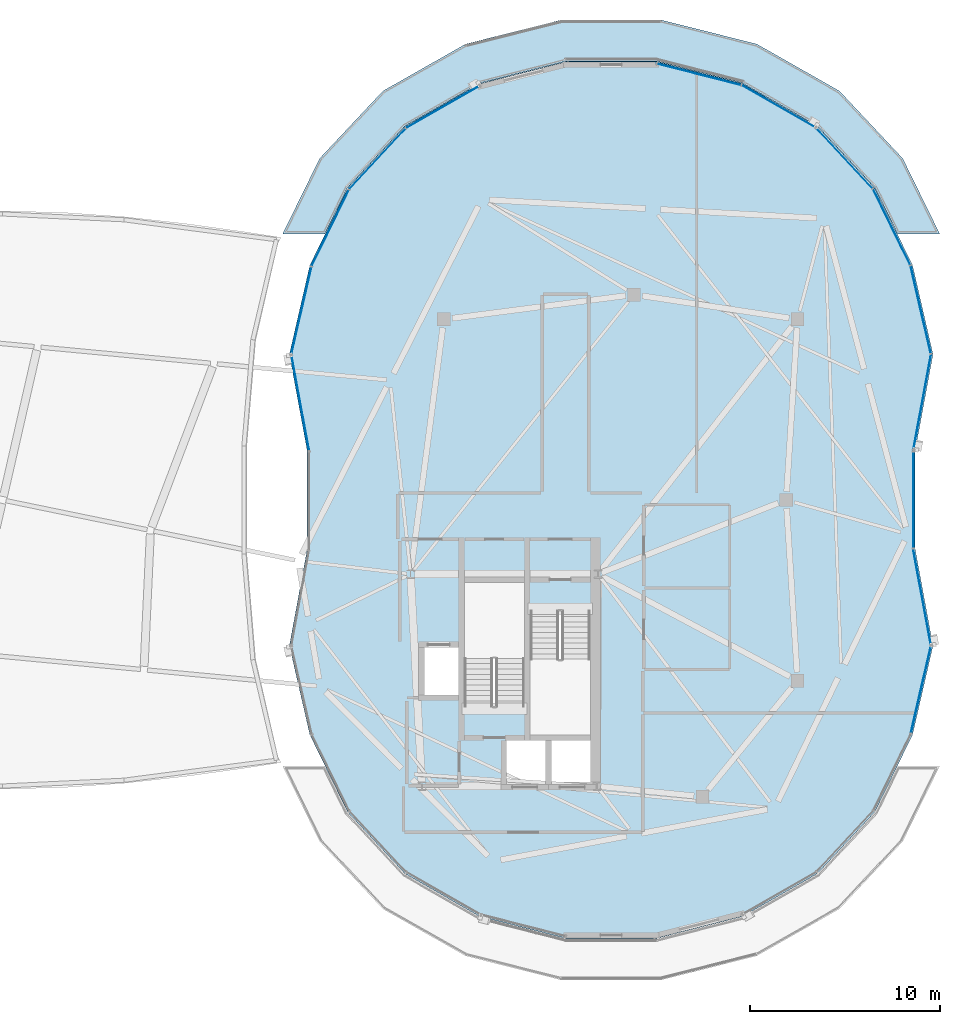
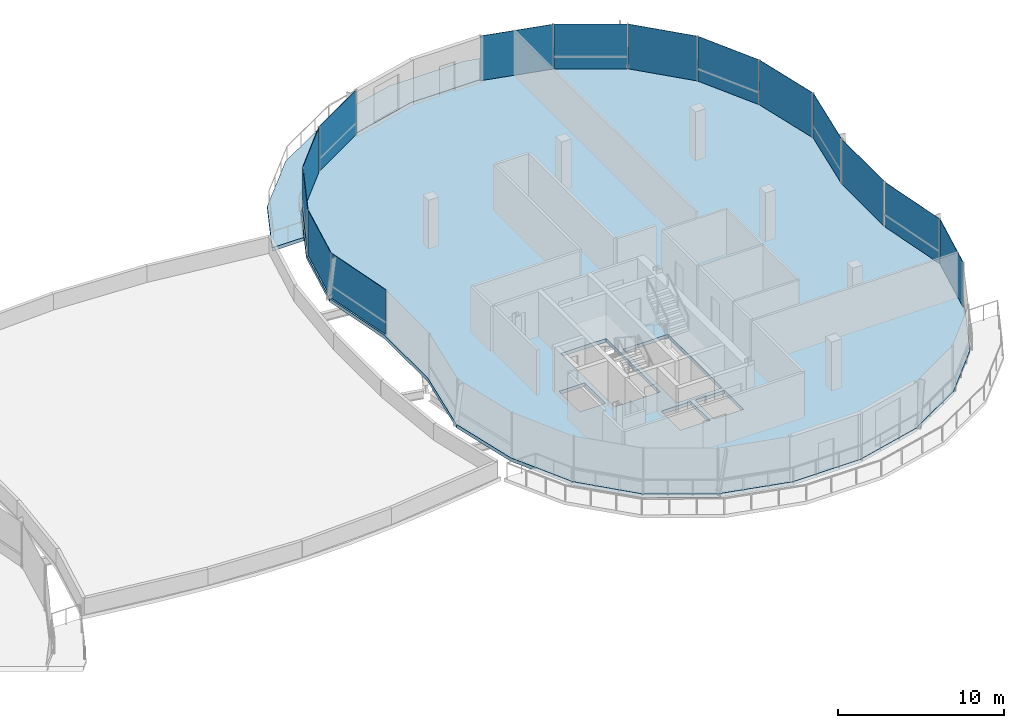
# One storey, part 19 of 31: 14 plates, 2 slabs, 3 elements without a shape of their own.
"""IFC4 building model written with IfcOpenShell, lengths in metres."""

from ifc_helpers import new_model, si_unit, direction, frame, origin, origin_2d, place, context, subcontext, project, spatial, polyline, rectangle, outline, extrude, material, layer, layer_set, type_object, element, aggregate, save


model = new_model("IFC4")

# Units and contexts
model_context = context("Model", 3, precision=1e-05, world=origin(), true_north=direction((0.0, 1.0)))
body_context = subcontext(model_context, "Body", "Model", "MODEL_VIEW")
ifc_project = project(units=[si_unit("LENGTHUNIT", "METRE"), si_unit("AREAUNIT", "SQUARE_METRE"), si_unit("VOLUMEUNIT", "CUBIC_METRE"), si_unit("PLANEANGLEUNIT", "RADIAN"), si_unit("MASSUNIT", "GRAM", prefix="KILO"), si_unit("THERMODYNAMICTEMPERATUREUNIT", "KELVIN"), si_unit("POWERUNIT", "WATT")], contexts=[model_context])

# Site, building, storey
site_placement = place(None, origin())
site = spatial("IfcSite", under=ifc_project, at=site_placement, CompositionType="ELEMENT")
building_placement = place(site_placement, origin())
building = spatial("IfcBuilding", under=site, at=building_placement, Name="Cundina Bronze Exchange", CompositionType="ELEMENT")
storey_placement = place(building_placement, frame((0.0, 0.0, 275.60009765625)))
storey = spatial("IfcBuildingStorey", under=building, at=storey_placement, Name="L73", CompositionType="ELEMENT", Elevation=275.60009765625)

# Curtain wall, plates
ifc_material_1 = material(Name="Anodised Bronze Aluminium 6063-T6", Category="aluminium")
curtain_wall_type = type_object("IfcCurtainWallType", Name="CWS-CRN-TMD", PredefinedType="NOTDEFINED", material=ifc_material_1)
curtain_wall_1_placement = place(storey_placement, origin())
curtain_wall_1 = element("IfcCurtainWall", 1, at=curtain_wall_1_placement, inside=storey, type_object=curtain_wall_type, Name="L73 CW-07 Curtain Wall Run CWR-L73-E1", PredefinedType="NOTDEFINED")
ifc_material_2 = material(Name="Clear Low-E Insulating Glass 26mm", Category="glass")
ifc_layer_1 = layer(ifc_material_2, 0.02587890625, Name="Clear Low-E Insulating Glass 26mm", Category="glass")
ifc_layer_set_1 = layer_set([ifc_layer_1], Name="Clear Low-E Insulating Glass 26mm")
plate_type_1 = type_object("IfcPlateType", Name="PLT-GLZ-CLR26", PredefinedType="CURTAIN_PANEL", material=ifc_layer_set_1)
plate_1_placement = place(storey_placement, frame((48.356201171875, 5.148193359375, 0.02001953125), z_axis=(0.0, 0.0, 1.0), x_axis=(0.181566202941, 0.983378723559, 0.0)))
plate_1 = element("IfcPlate", 2, at=plate_1_placement, type_object=plate_type_1, Name="CW-07 Glazed Panel 1", PredefinedType="CURTAIN_PANEL", context=body_context, shape_type="SweptSolid", body=[
    extrude(rectangle(XDim=5.0595703125, YDim=0.02587890625, at=origin_2d()), origin(), (0.0, 0.0, 1.0), 3.300048828125),
])
plate_2_placement = place(storey_placement, frame((46.7626953125, 14.330078125, 0.02001953125), z_axis=(0.0, 0.0, 1.0), x_axis=(-0.439406192137, 0.898288482789, 0.0)))
plate_2 = element("IfcPlate", 3, at=plate_2_placement, type_object=plate_type_1, Name="CW-07 Glazed Panel 3", PredefinedType="CURTAIN_PANEL", context=body_context, shape_type="SweptSolid", body=[
    extrude(rectangle(XDim=4.431884765625, YDim=0.02587890625, at=origin_2d()), origin(), (0.0, 0.0, 1.0), 3.300048828125),
])
plate_3_placement = place(storey_placement, frame((44.27783203125, 17.956298828125, 0.02001953125), z_axis=(0.0, 0.0, 1.0), x_axis=(-0.681462066612, 0.731853435989, 0.0)))
plate_3 = element("IfcPlate", 4, at=plate_3_placement, type_object=plate_type_1, Name="CW-07 Glazed Panel 4", PredefinedType="CURTAIN_PANEL", context=body_context, shape_type="SweptSolid", body=[
    extrude(rectangle(XDim=4.335693359375, YDim=0.02587890625, at=origin_2d()), origin(), (0.0, 0.0, 1.0), 3.300048828125),
])
plate_4_placement = place(storey_placement, frame((40.828125, 20.684326171875, 0.02001953125), z_axis=(0.0, 0.0, 1.0), x_axis=(-0.86745302415, 0.497519096008, 0.0)))
plate_4 = element("IfcPlate", 5, at=plate_4_placement, type_object=plate_type_1, Name="CW-07 Glazed Panel 5", PredefinedType="CURTAIN_PANEL", context=body_context, shape_type="SweptSolid", body=[
    extrude(rectangle(XDim=4.4404296875, YDim=0.02587890625, at=origin_2d()), origin(), (0.0, 0.0, 1.0), 3.300048828125),
])
plate_5_placement = place(storey_placement, frame((36.618896484375, 22.379150390625, 0.02001953125), z_axis=(0.0, 0.0, 1.0), x_axis=(-0.969067441506, 0.246796057127, 0.0)))
plate_5 = element("IfcPlate", 6, at=plate_5_placement, type_object=plate_type_1, Name="CW-07 Glazed Panel 6", PredefinedType="CURTAIN_PANEL", context=body_context, shape_type="SweptSolid", body=[
    extrude(rectangle(XDim=4.593994140625, YDim=0.02587890625, at=origin_2d()), origin(), (0.0, 0.0, 1.0), 3.300048828125),
])

curtain_wall_2_placement = place(storey_placement, origin())
curtain_wall_2 = element("IfcCurtainWall", 7, at=curtain_wall_2_placement, inside=storey, type_object=curtain_wall_type, Name="L73 CW-07 Curtain Wall Run CWR-L73-E2", PredefinedType="NOTDEFINED")
plate_6_placement = place(storey_placement, frame((19.72216796875, 17.956298828125, 0.02001953125), z_axis=(0.0, 0.0, 1.0), x_axis=(-0.681462066612, -0.731853435989, 0.0)))
plate_6 = element("IfcPlate", 8, at=plate_6_placement, type_object=plate_type_1, Name="CW-07 Glazed Panel 2", PredefinedType="CURTAIN_PANEL", context=body_context, shape_type="SweptSolid", body=[
    extrude(rectangle(XDim=4.335693359375, YDim=0.02587890625, at=origin_2d()), origin(), (0.0, 0.0, 1.0), 3.300048828125),
])
plate_7_placement = place(storey_placement, frame((17.2373046875, 14.330078125, 0.02001953125), z_axis=(0.0, 0.0, 1.0), x_axis=(-0.439406192137, -0.898288482789, 0.0)))
plate_7 = element("IfcPlate", 9, at=plate_7_placement, type_object=plate_type_1, Name="CW-07 Glazed Panel 3", PredefinedType="CURTAIN_PANEL", context=body_context, shape_type="SweptSolid", body=[
    extrude(rectangle(XDim=4.431884765625, YDim=0.02587890625, at=origin_2d()), origin(), (0.0, 0.0, 1.0), 3.300048828125),
])
plate_8_placement = place(storey_placement, frame((15.71337890625, 9.97998046875, 0.02001953125), z_axis=(0.0, 0.0, 1.0), x_axis=(-0.224015622728, -0.974585553337, 0.0)))
plate_8 = element("IfcPlate", 10, at=plate_8_placement, type_object=plate_type_1, Name="CW-07 Glazed Panel 4", PredefinedType="CURTAIN_PANEL", context=body_context, shape_type="SweptSolid", body=[
    extrude(rectangle(XDim=4.713134765625, YDim=0.02587890625, at=origin_2d()), origin(), (0.0, 0.0, 1.0), 3.300048828125),
])
plate_9_placement = place(storey_placement, frame((15.643798828125, 5.148193359375, 0.02001953125), z_axis=(0.0, 0.0, 1.0), x_axis=(0.181566202941, -0.983378723559, 0.0)))
plate_9 = element("IfcPlate", 11, at=plate_9_placement, type_object=plate_type_1, Name="CW-07 Glazed Panel 5", PredefinedType="CURTAIN_PANEL", context=body_context, shape_type="SweptSolid", body=[
    extrude(rectangle(XDim=5.0595703125, YDim=0.02587890625, at=origin_2d()), origin(), (0.0, 0.0, 1.0), 3.300048828125),
])

curtain_wall_3_placement = place(storey_placement, origin())
curtain_wall_3 = element("IfcCurtainWall", 12, at=curtain_wall_3_placement, inside=storey, type_object=curtain_wall_type, Name="L73 CW-07 Curtain Wall Run CWR-L73-E4", PredefinedType="NOTDEFINED")
plate_10_placement = place(storey_placement, frame((48.356201171875, -5.148193359375, 0.02001953125), z_axis=(0.0, 0.0, 1.0), x_axis=(-0.181566202941, 0.983378723559, 0.0)))
plate_10 = element("IfcPlate", 13, at=plate_10_placement, type_object=plate_type_1, Name="CW-07 Glazed Panel 5", PredefinedType="CURTAIN_PANEL", context=body_context, shape_type="SweptSolid", body=[
    extrude(rectangle(XDim=5.0595703125, YDim=0.02587890625, at=origin_2d()), origin(), (0.0, 0.0, 1.0), 3.300048828125),
])
plate_11_placement = place(storey_placement, frame((47.886962890625, 0.0, 0.02001953125), z_axis=(0.0, 0.0, 1.0), x_axis=(0.0, 1.0, 0.0)))
plate_11 = element("IfcPlate", 14, at=plate_11_placement, type_object=plate_type_1, Name="CW-07 Glazed Panel 6", PredefinedType="CURTAIN_PANEL", context=body_context, shape_type="SweptSolid", body=[
    extrude(rectangle(XDim=5.10595703125, YDim=0.02587890625, at=origin_2d()), origin(), (0.0, 0.0, 1.0), 3.300048828125),
])

# Plate
ifc_material_3 = material(Name="Dark Bronze Spandrel Glass Panel 32mm", Category="glass")
ifc_layer_2 = layer(ifc_material_3, 0.031982421875, Name="Dark Bronze Spandrel Glass Panel 32mm", Category="glass")
ifc_layer_set_2 = layer_set([ifc_layer_2], Name="Dark Bronze Spandrel Glass Panel 32mm")
plate_type_2 = type_object("IfcPlateType", Name="PLT-SPN-BRZ32", PredefinedType="CURTAIN_PANEL", material=ifc_layer_set_2)
plate_12_placement = place(storey_placement, frame((48.28662109375, 9.97998046875, 0.02001953125), z_axis=(0.0, 0.0, 1.0), x_axis=(-0.224015622728, 0.974585553337, 0.0)))
plate_12 = element("IfcPlate", 15, at=plate_12_placement, type_object=plate_type_2, Name="CW-07 Glazed Panel 2", PredefinedType="CURTAIN_PANEL", context=body_context, shape_type="SweptSolid", body=[
    extrude(rectangle(XDim=4.713134765625, YDim=0.031982421875, at=origin_2d()), origin(), (0.0, 0.0, 1.0), 3.300048828125),
])

aggregate(curtain_wall_1, [plate_1, plate_12, plate_2, plate_3, plate_4, plate_5])

plate_13_placement = place(storey_placement, frame((23.171875, 20.684326171875, 0.02001953125), z_axis=(0.0, 0.0, 1.0), x_axis=(-0.86745302415, -0.497519096008, 0.0)))
plate_13 = element("IfcPlate", 16, at=plate_13_placement, type_object=plate_type_2, Name="CW-07 Glazed Panel 1", PredefinedType="CURTAIN_PANEL", context=body_context, shape_type="SweptSolid", body=[
    extrude(rectangle(XDim=4.4404296875, YDim=0.031982421875, at=origin_2d()), origin(), (0.0, 0.0, 1.0), 3.300048828125),
])

aggregate(curtain_wall_2, [plate_13, plate_6, plate_7, plate_8, plate_9])

plate_14_placement = place(storey_placement, frame((48.28662109375, -9.97998046875, 0.02001953125), z_axis=(0.0, 0.0, 1.0), x_axis=(0.224015622728, 0.974585553337, 0.0)))
plate_14 = element("IfcPlate", 17, at=plate_14_placement, type_object=plate_type_2, Name="CW-07 Glazed Panel 4", PredefinedType="CURTAIN_PANEL", context=body_context, shape_type="SweptSolid", body=[
    extrude(rectangle(XDim=4.713134765625, YDim=0.031982421875, at=origin_2d()), origin(), (0.0, 0.0, 1.0), 3.300048828125),
])

aggregate(curtain_wall_3, [plate_14, plate_10, plate_11])

# Slabs
ifc_material_4 = material(Name="Concrete C50/60", Category="concrete")
ifc_layer_3 = layer(ifc_material_4, 0.260009765625, Name="Concrete C50/60", Category="concrete")
ifc_layer_set_3 = layer_set([ifc_layer_3], Name="Concrete C50/60")
slab_type_1 = type_object("IfcSlabType", Name="SLB-OFF-260", PredefinedType="FLOOR", material=ifc_layer_set_3)
slab_1_placement = place(storey_placement, frame((0.0, 0.0, -0.260009765625)))
element("IfcSlab", 18, at=slab_1_placement, inside=storey, type_object=slab_type_1, Name="L73 Leg E Structural Floor Slab", PredefinedType="FLOOR", context=body_context, shape_type="SweptSolid", body=[
    extrude(outline(polyline([(47.987060546875, 2.597900390625), (48.922119140625, 7.662109375), (47.845947265625, 12.343017578125), (45.85888671875, 16.405029296875), (42.843017578125, 19.64404296875), (38.9130859375, 21.89794921875), (34.3740234375, 23.053955078125), (29.6259765625, 23.053955078125), (25.0869140625, 21.89794921875), (21.156982421875, 19.64404296875), (18.14111328125, 16.405029296875), (16.154052734375, 12.343017578125), (15.077880859375, 7.662109375), (16.012939453125, 2.597900390625), (16.012939453125, -2.597900390625), (15.077880859375, -7.662109375), (16.154052734375, -12.343017578125), (18.14111328125, -16.405029296875), (21.156982421875, -19.64404296875), (25.0869140625, -21.89794921875), (29.6259765625, -23.053955078125), (34.3740234375, -23.053955078125), (38.9130859375, -21.89794921875), (42.843017578125, -19.64404296875), (45.85888671875, -16.405029296875), (47.845947265625, -12.343017578125), (48.922119140625, -7.662109375), (47.987060546875, -2.597900390625), (47.987060546875, 2.597900390625)]), holes=[polyline([(27.739990234375, -5.85009765625), (27.739990234375, -12.35009765625), (30.89990234375, -12.35009765625), (30.89990234375, -5.85009765625), (27.739990234375, -5.85009765625)]), polyline([(27.43994140625, -10.85009765625), (27.43994140625, -4.35009765625), (24.280029296875, -4.35009765625), (24.280029296875, -10.85009765625), (27.43994140625, -10.85009765625)]), polyline([(22.179931640625, -7.75), (23.97998046875, -7.75), (23.97998046875, -10.25), (22.179931640625, -10.25), (22.179931640625, -7.75)]), polyline([(28.85009765625, -12.64990234375), (30.89990234375, -12.64990234375), (30.89990234375, -14.949951171875), (28.85009765625, -14.949951171875), (28.85009765625, -12.64990234375)]), polyline([(26.5, -12.64990234375), (28.550048828125, -12.64990234375), (28.550048828125, -14.949951171875), (26.5, -14.949951171875), (26.5, -12.64990234375)])]), origin(), (0.0, 0.0, 1.0), 0.260009765625),
])
ifc_material_5 = material(Name="Concrete C40/50", Category="concrete")
ifc_layer_4 = layer(ifc_material_5, 0.25, Name="Concrete C40/50", Category="concrete")
ifc_layer_set_4 = layer_set([ifc_layer_4], Name="Concrete C40/50")
slab_type_2 = type_object("IfcSlabType", Name="SLB-TER-250", PredefinedType="FLOOR", material=ifc_layer_set_4)
slab_2_placement = place(storey_placement, frame((0.0, 0.0, -0.25)))
element("IfcSlab", 19, at=slab_2_placement, inside=storey, type_object=slab_type_2, Name="L73 Leg E N Planted Crown Terrace Slab", PredefinedType="FLOOR", context=body_context, shape_type="SweptSolid", body=[
    extrude(outline(polyline([(16.673095703125, 17.9609375), (20.0009765625, 21.507080078125), (24.346923828125, 23.97509765625), (29.37109375, 25.239990234375), (34.62890625, 25.239990234375), (39.653076171875, 23.97509765625), (43.9990234375, 21.507080078125), (47.326904296875, 17.9609375), (49.2705078125, 14.0), (47.052001953125, 14.0), (45.87255859375, 16.41162109375), (45.871826171875, 16.412841796875), (45.870849609375, 16.4140625), (45.8701171875, 16.415283203125), (42.85400390625, 19.654296875), (42.852783203125, 19.6552734375), (42.851806640625, 19.65625), (42.8505859375, 19.656982421875), (38.92041015625, 21.910888671875), (38.919189453125, 21.91162109375), (38.91796875, 21.912109375), (38.916748046875, 21.91259765625), (34.377685546875, 23.068603515625), (34.37646484375, 23.06884765625), (34.375244140625, 23.06884765625), (34.3740234375, 23.069091796875), (29.6259765625, 23.069091796875), (29.624755859375, 23.06884765625), (29.62353515625, 23.06884765625), (29.622314453125, 23.068603515625), (25.083251953125, 21.91259765625), (25.08203125, 21.912109375), (25.080810546875, 21.91162109375), (25.07958984375, 21.910888671875), (21.1494140625, 19.656982421875), (21.148193359375, 19.65625), (21.147216796875, 19.6552734375), (21.14599609375, 19.654296875), (18.1298828125, 16.415283203125), (18.129150390625, 16.4140625), (18.128173828125, 16.412841796875), (18.12744140625, 16.41162109375), (16.947998046875, 14.0), (14.7294921875, 14.0), (16.673095703125, 17.9609375)])), origin(), (0.0, 0.0, 1.0), 0.25),
])

save(model, "model.ifc")
